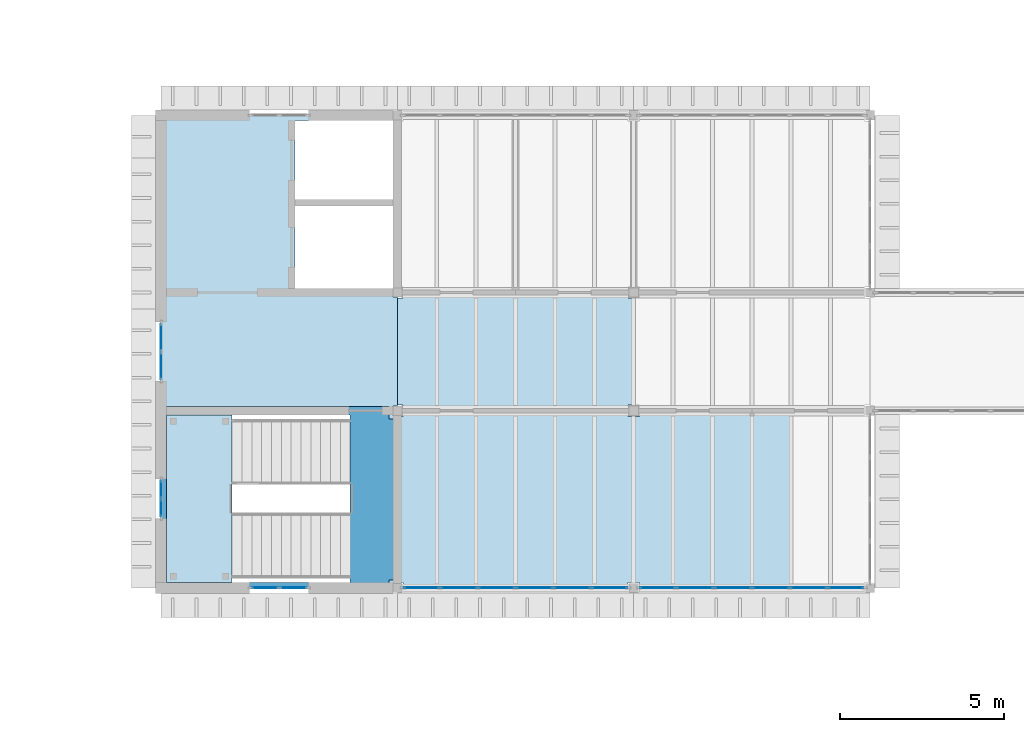
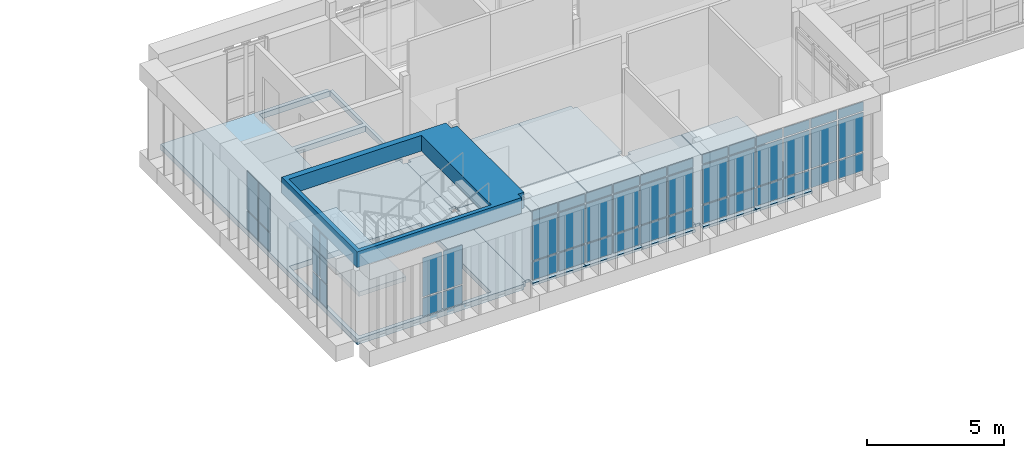
# One storey, part 23 of 51: 50 plates, 11 slabs, 6 elements without a shape of their own.
"""IFC4 building model written with IfcOpenShell, lengths in metres."""

from ifc_helpers import new_model, si_unit, direction, frame, origin, origin_2d, place, context, subcontext, project, spatial, polyline, rectangle, outline, extrude, material, layer, layer_set, type_object, element, aggregate, save


model = new_model("IFC4")

# Units and contexts
model_context = context("Model", 3, precision=1e-05, world=origin(), true_north=direction((0.0, 1.0)))
body_context = subcontext(model_context, "Body", "Model", "MODEL_VIEW")
ifc_project = project(units=[si_unit("LENGTHUNIT", "METRE"), si_unit("AREAUNIT", "SQUARE_METRE"), si_unit("VOLUMEUNIT", "CUBIC_METRE"), si_unit("PLANEANGLEUNIT", "RADIAN"), si_unit("MASSUNIT", "GRAM", prefix="KILO")], contexts=[model_context])

# Site, building, storey
site_placement = place(None, origin())
site = spatial("IfcSite", under=ifc_project, at=site_placement, CompositionType="ELEMENT")
building_placement = place(site_placement, origin())
building = spatial("IfcBuilding", under=site, at=building_placement, Name="Mazhai Court Health Centre", CompositionType="ELEMENT")
storey_placement = place(building_placement, frame((0.0, 0.0, 14.10009765625)))
storey = spatial("IfcBuildingStorey", under=building, at=storey_placement, Name="L03", CompositionType="ELEMENT", Elevation=14.10009765625)

# Slabs
ifc_material_1 = material(Name="CLT C24 5-ply", Category="wood")
ifc_layer_1 = layer(ifc_material_1, 0.1201171875)
ifc_layer_set_1 = layer_set([ifc_layer_1], Name="CLT C24 5-ply 120 floor panel")
slab_type_1 = type_object("IfcSlabType", Name="CLT C24 5-ply 120 floor panel", PredefinedType="FLOOR", material=ifc_layer_set_1)
slab_1_placement = place(storey_placement, frame((0.0, 0.0, -0.1201171875)))
element("IfcSlab", 1, at=slab_1_placement, inside=storey, type_object=slab_type_1, Name="slab-V4-L03-b1-A0", PredefinedType="FLOOR", context=body_context, shape_type="SweptSolid", body=[
    extrude(outline(polyline([(80.590087890625, 18.7900390625), (78.3701171875, 18.7900390625), (78.3701171875, 18.6298828125), (78.199951171875, 18.6298828125), (78.199951171875, 13.570068359375), (78.3701171875, 13.570068359375), (78.3701171875, 13.280029296875), (80.590087890625, 13.280029296875), (80.590087890625, 18.7900390625)])), origin(), (0.0, 0.0, 1.0), 0.1201171875),
])
slab_2_placement = place(storey_placement, frame((0.0, 0.0, -0.1201171875)))
element("IfcSlab", 2, at=slab_2_placement, inside=storey, type_object=slab_type_1, Name="slab-V4-L03-b1-A1", PredefinedType="FLOOR", context=body_context, shape_type="SweptSolid", body=[
    extrude(outline(polyline([(80.610107421875, 13.280029296875), (82.989990234375, 13.280029296875), (82.989990234375, 18.7900390625), (80.610107421875, 18.7900390625), (80.610107421875, 13.280029296875)])), origin(), (0.0, 0.0, 1.0), 0.1201171875),
])
slab_3_placement = place(storey_placement, frame((0.0, 0.0, -0.1201171875)))
element("IfcSlab", 3, at=slab_3_placement, inside=storey, type_object=slab_type_1, Name="slab-V4-L03-b1-A2", PredefinedType="FLOOR", context=body_context, shape_type="SweptSolid", body=[
    extrude(outline(polyline([(85.39990234375, 13.570068359375), (85.39990234375, 18.6298828125), (85.22998046875, 18.6298828125), (85.22998046875, 18.7900390625), (83.010009765625, 18.7900390625), (83.010009765625, 13.280029296875), (85.22998046875, 13.280029296875), (85.22998046875, 13.570068359375), (85.39990234375, 13.570068359375)])), origin(), (0.0, 0.0, 1.0), 0.1201171875),
])
slab_4_placement = place(storey_placement, frame((0.0, 0.0, -0.1201171875)))
element("IfcSlab", 4, at=slab_4_placement, inside=storey, type_object=slab_type_1, Name="slab-V4-L03-b1-C0", PredefinedType="FLOOR", context=body_context, shape_type="SweptSolid", body=[
    extrude(outline(polyline([(80.590087890625, 22.389892578125), (78.3701171875, 22.389892578125), (78.3701171875, 22.22998046875), (78.199951171875, 22.22998046875), (78.199951171875, 18.969970703125), (78.3701171875, 18.969970703125), (78.3701171875, 18.81005859375), (80.590087890625, 18.81005859375), (80.590087890625, 22.389892578125)])), origin(), (0.0, 0.0, 1.0), 0.1201171875),
])
slab_5_placement = place(storey_placement, frame((0.0, 0.0, -0.1201171875)))
element("IfcSlab", 5, at=slab_5_placement, inside=storey, type_object=slab_type_1, Name="slab-V4-L03-b1-C1", PredefinedType="FLOOR", context=body_context, shape_type="SweptSolid", body=[
    extrude(outline(polyline([(80.610107421875, 18.81005859375), (82.989990234375, 18.81005859375), (82.989990234375, 22.389892578125), (80.610107421875, 22.389892578125), (80.610107421875, 18.81005859375)])), origin(), (0.0, 0.0, 1.0), 0.1201171875),
])
slab_6_placement = place(storey_placement, frame((0.0, 0.0, -0.1201171875)))
element("IfcSlab", 6, at=slab_6_placement, inside=storey, type_object=slab_type_1, Name="slab-V4-L03-b1-C2", PredefinedType="FLOOR", context=body_context, shape_type="SweptSolid", body=[
    extrude(outline(polyline([(85.39990234375, 18.969970703125), (85.39990234375, 22.22998046875), (85.22998046875, 22.22998046875), (85.22998046875, 22.389892578125), (83.010009765625, 22.389892578125), (83.010009765625, 18.81005859375), (85.22998046875, 18.81005859375), (85.22998046875, 18.969970703125), (85.39990234375, 18.969970703125)])), origin(), (0.0, 0.0, 1.0), 0.1201171875),
])
slab_7_placement = place(storey_placement, frame((0.0, 0.0, -0.1201171875)))
element("IfcSlab", 7, at=slab_7_placement, inside=storey, type_object=slab_type_1, Name="slab-V4-L03-b2-A0", PredefinedType="FLOOR", context=body_context, shape_type="SweptSolid", body=[
    extrude(outline(polyline([(87.7900390625, 18.7900390625), (85.570068359375, 18.7900390625), (85.570068359375, 18.6298828125), (85.39990234375, 18.6298828125), (85.39990234375, 13.570068359375), (85.570068359375, 13.570068359375), (85.570068359375, 13.280029296875), (87.7900390625, 13.280029296875), (87.7900390625, 18.7900390625)])), origin(), (0.0, 0.0, 1.0), 0.1201171875),
])
slab_8_placement = place(storey_placement, frame((0.0, 0.0, -0.1201171875)))
element("IfcSlab", 8, at=slab_8_placement, inside=storey, type_object=slab_type_1, Name="slab-V4-L03-b2-A1", PredefinedType="FLOOR", context=body_context, shape_type="SweptSolid", body=[
    extrude(outline(polyline([(87.81005859375, 13.280029296875), (90.18994140625, 13.280029296875), (90.18994140625, 18.7900390625), (87.81005859375, 18.7900390625), (87.81005859375, 13.280029296875)])), origin(), (0.0, 0.0, 1.0), 0.1201171875),
])

# Curtain wall, plates
ifc_material_2 = material(Name="Teak timber frame, glazed", Category="wood")
ifc_layer_2 = layer(ifc_material_2, 0.10009765625)
ifc_layer_set_2 = layer_set([ifc_layer_2], Name="CURTAIN WALL TIMBER 900")
curtain_wall_type_1 = type_object("IfcCurtainWallType", Name="CURTAIN WALL TIMBER 900", PredefinedType="NOTDEFINED", material=ifc_layer_set_2)
curtain_wall_1_placement = place(storey_placement, origin())
curtain_wall_1 = element("IfcCurtainWall", 9, at=curtain_wall_1_placement, inside=storey, type_object=curtain_wall_type_1, Name="CW-V4-L03-A0", PredefinedType="NOTDEFINED")
ifc_material_3 = material(Name="Glass IGU 28 mm", Category="glass")
ifc_layer_3 = layer(ifc_material_3, 0.028076171875)
ifc_layer_set_3 = layer_set([ifc_layer_3], Name="CW PANEL IGU 28")
plate_type = type_object("IfcPlateType", Name="CW PANEL IGU 28", PredefinedType="CURTAIN_PANEL", material=ifc_layer_set_3)
plate_1_placement = place(storey_placement, frame((75.034912109375, 13.39990234375, 0.059814453125), z_axis=(0.0, 0.0, 1.0), x_axis=(-1.0, 0.0, 0.0)))
plate_1 = element("IfcPlate", 10, at=plate_1_placement, type_object=plate_type, Name="CW panel 1.1", PredefinedType="CURTAIN_PANEL", context=body_context, shape_type="SweptSolid", body=[
    extrude(rectangle(XDim=0.81005859375, YDim=0.028076171875, at=origin_2d()), origin(), (0.0, 0.0, 1.0), 0.81005859375),
])
plate_2_placement = place(storey_placement, frame((75.034912109375, 13.39990234375, 0.9296875), z_axis=(0.0, 0.0, 1.0), x_axis=(-1.0, 0.0, 0.0)))
plate_2 = element("IfcPlate", 11, at=plate_2_placement, type_object=plate_type, Name="CW panel 1.2", PredefinedType="CURTAIN_PANEL", context=body_context, shape_type="SweptSolid", body=[
    extrude(rectangle(XDim=0.81005859375, YDim=0.028076171875, at=origin_2d()), origin(), (0.0, 0.0, 1.0), 1.739990234375),
])
plate_3_placement = place(storey_placement, frame((74.1650390625, 13.39990234375, 0.059814453125), z_axis=(0.0, 0.0, 1.0), x_axis=(-1.0, 0.0, 0.0)))
plate_3 = element("IfcPlate", 12, at=plate_3_placement, type_object=plate_type, Name="CW panel 2.1", PredefinedType="CURTAIN_PANEL", context=body_context, shape_type="SweptSolid", body=[
    extrude(rectangle(XDim=0.81005859375, YDim=0.028076171875, at=origin_2d()), origin(), (0.0, 0.0, 1.0), 0.81005859375),
])
plate_4_placement = place(storey_placement, frame((74.1650390625, 13.39990234375, 0.9296875), z_axis=(0.0, 0.0, 1.0), x_axis=(-1.0, 0.0, 0.0)))
plate_4 = element("IfcPlate", 13, at=plate_4_placement, type_object=plate_type, Name="CW panel 2.2", PredefinedType="CURTAIN_PANEL", context=body_context, shape_type="SweptSolid", body=[
    extrude(rectangle(XDim=0.81005859375, YDim=0.028076171875, at=origin_2d()), origin(), (0.0, 0.0, 1.0), 1.739990234375),
])
aggregate(curtain_wall_1, [plate_1, plate_2, plate_3, plate_4])

ifc_material_4 = material(Name="Teak timber frame, glazed", Category="wood")
ifc_layer_4 = layer(ifc_material_4, 0.10009765625)
ifc_layer_set_4 = layer_set([ifc_layer_4], Name="CURTAIN WALL TIMBER 600")
curtain_wall_type_2 = type_object("IfcCurtainWallType", Name="CURTAIN WALL TIMBER 600", PredefinedType="NOTDEFINED", material=ifc_layer_set_4)
curtain_wall_2_placement = place(storey_placement, origin())
curtain_wall_2 = element("IfcCurtainWall", 14, at=curtain_wall_2_placement, inside=storey, type_object=curtain_wall_type_2, Name="CW-V4-L03-SSTAIR0", PredefinedType="NOTDEFINED")
plate_5_placement = place(storey_placement, frame((71.0, 15.8349609375, 0.06005859375), z_axis=(0.0, 0.0, 1.0), x_axis=(0.0, 1.0, 0.0)))
plate_5 = element("IfcPlate", 15, at=plate_5_placement, type_object=plate_type, Name="CW panel 1.1", PredefinedType="CURTAIN_PANEL", context=body_context, shape_type="SweptSolid", body=[
    extrude(rectangle(XDim=0.510009765625, YDim=0.028076171875, at=origin_2d()), origin(), (0.0, 0.0, 1.0), 1.010009765625),
])
plate_6_placement = place(storey_placement, frame((71.0, 15.8349609375, 1.1298828125), z_axis=(0.0, 0.0, 1.0), x_axis=(0.0, 1.0, 0.0)))
plate_6 = element("IfcPlate", 16, at=plate_6_placement, type_object=plate_type, Name="CW panel 1.2", PredefinedType="CURTAIN_PANEL", context=body_context, shape_type="SweptSolid", body=[
    extrude(rectangle(XDim=0.510009765625, YDim=0.028076171875, at=origin_2d()), origin(), (0.0, 0.0, 1.0), 1.0400390625),
])
plate_7_placement = place(storey_placement, frame((71.0, 15.8349609375, 2.22998046875), z_axis=(0.0, 0.0, 1.0), x_axis=(0.0, 1.0, 0.0)))
plate_7 = element("IfcPlate", 17, at=plate_7_placement, type_object=plate_type, Name="CW panel 1.3", PredefinedType="CURTAIN_PANEL", context=body_context, shape_type="SweptSolid", body=[
    extrude(rectangle(XDim=0.510009765625, YDim=0.028076171875, at=origin_2d()), origin(), (0.0, 0.0, 1.0), 0.909912109375),
])
plate_8_placement = place(storey_placement, frame((71.0, 16.405029296875, 0.06005859375), z_axis=(0.0, 0.0, 1.0), x_axis=(0.0, 1.0, 0.0)))
plate_8 = element("IfcPlate", 18, at=plate_8_placement, type_object=plate_type, Name="CW panel 2.1", PredefinedType="CURTAIN_PANEL", context=body_context, shape_type="SweptSolid", body=[
    extrude(rectangle(XDim=0.510009765625, YDim=0.028076171875, at=origin_2d()), origin(), (0.0, 0.0, 1.0), 1.010009765625),
])
plate_9_placement = place(storey_placement, frame((71.0, 16.405029296875, 1.1298828125), z_axis=(0.0, 0.0, 1.0), x_axis=(0.0, 1.0, 0.0)))
plate_9 = element("IfcPlate", 19, at=plate_9_placement, type_object=plate_type, Name="CW panel 2.2", PredefinedType="CURTAIN_PANEL", context=body_context, shape_type="SweptSolid", body=[
    extrude(rectangle(XDim=0.510009765625, YDim=0.028076171875, at=origin_2d()), origin(), (0.0, 0.0, 1.0), 1.0400390625),
])
plate_10_placement = place(storey_placement, frame((71.0, 16.405029296875, 2.22998046875), z_axis=(0.0, 0.0, 1.0), x_axis=(0.0, 1.0, 0.0)))
plate_10 = element("IfcPlate", 20, at=plate_10_placement, type_object=plate_type, Name="CW panel 2.3", PredefinedType="CURTAIN_PANEL", context=body_context, shape_type="SweptSolid", body=[
    extrude(rectangle(XDim=0.510009765625, YDim=0.028076171875, at=origin_2d()), origin(), (0.0, 0.0, 1.0), 0.909912109375),
])
aggregate(curtain_wall_2, [plate_5, plate_6, plate_7, plate_8, plate_9, plate_10])

curtain_wall_3_placement = place(storey_placement, origin())
curtain_wall_3 = element("IfcCurtainWall", 21, at=curtain_wall_3_placement, inside=storey, type_object=curtain_wall_type_1, Name="CW-V4-L03-SLIFT1", PredefinedType="NOTDEFINED")
plate_11_placement = place(storey_placement, frame((71.0, 20.1650390625, 0.059814453125), z_axis=(0.0, 0.0, 1.0), x_axis=(0.0, 1.0, 0.0)))
plate_11 = element("IfcPlate", 22, at=plate_11_placement, type_object=plate_type, Name="CW panel 1.1", PredefinedType="CURTAIN_PANEL", context=body_context, shape_type="SweptSolid", body=[
    extrude(rectangle(XDim=0.81005859375, YDim=0.028076171875, at=origin_2d()), origin(), (0.0, 0.0, 1.0), 0.81005859375),
])
plate_12_placement = place(storey_placement, frame((71.0, 20.1650390625, 0.9296875), z_axis=(0.0, 0.0, 1.0), x_axis=(0.0, 1.0, 0.0)))
plate_12 = element("IfcPlate", 23, at=plate_12_placement, type_object=plate_type, Name="CW panel 1.2", PredefinedType="CURTAIN_PANEL", context=body_context, shape_type="SweptSolid", body=[
    extrude(rectangle(XDim=0.81005859375, YDim=0.028076171875, at=origin_2d()), origin(), (0.0, 0.0, 1.0), 1.739990234375),
])
plate_13_placement = place(storey_placement, frame((71.0, 21.034912109375, 0.059814453125), z_axis=(0.0, 0.0, 1.0), x_axis=(0.0, 1.0, 0.0)))
plate_13 = element("IfcPlate", 24, at=plate_13_placement, type_object=plate_type, Name="CW panel 2.1", PredefinedType="CURTAIN_PANEL", context=body_context, shape_type="SweptSolid", body=[
    extrude(rectangle(XDim=0.81005859375, YDim=0.028076171875, at=origin_2d()), origin(), (0.0, 0.0, 1.0), 0.81005859375),
])
plate_14_placement = place(storey_placement, frame((71.0, 21.034912109375, 0.9296875), z_axis=(0.0, 0.0, 1.0), x_axis=(0.0, 1.0, 0.0)))
plate_14 = element("IfcPlate", 25, at=plate_14_placement, type_object=plate_type, Name="CW panel 2.2", PredefinedType="CURTAIN_PANEL", context=body_context, shape_type="SweptSolid", body=[
    extrude(rectangle(XDim=0.81005859375, YDim=0.028076171875, at=origin_2d()), origin(), (0.0, 0.0, 1.0), 1.739990234375),
])
aggregate(curtain_wall_3, [plate_11, plate_12, plate_13, plate_14])

ifc_material_5 = material(Name="Teak timber frame, glazed", Category="wood")
ifc_layer_5 = layer(ifc_material_5, 0.10009765625)
ifc_layer_set_5 = layer_set([ifc_layer_5], Name="CURTAIN WALL TIMBER 1200")
curtain_wall_type_3 = type_object("IfcCurtainWallType", Name="CURTAIN WALL TIMBER 1200", PredefinedType="NOTDEFINED", material=ifc_layer_set_5)
curtain_wall_4_placement = place(storey_placement, origin())
curtain_wall_4 = element("IfcCurtainWall", 26, at=curtain_wall_4_placement, inside=storey, type_object=curtain_wall_type_3, Name="CW-V4-L03-A1", PredefinedType="NOTDEFINED")
plate_15_placement = place(storey_placement, frame((84.668212890625, 13.39990234375, 0.059814453125), z_axis=(0.0, 0.0, 1.0), x_axis=(-1.0, 0.0, 0.0)))
plate_15 = element("IfcPlate", 27, at=plate_15_placement, type_object=plate_type, Name="CW panel 1.1", PredefinedType="CURTAIN_PANEL", context=body_context, shape_type="SweptSolid", body=[
    extrude(rectangle(XDim=1.063232421875, YDim=0.028076171875, at=origin_2d()), origin(), (0.0, 0.0, 1.0), 0.81005859375),
])
plate_16_placement = place(storey_placement, frame((84.668212890625, 13.39990234375, 0.9296875), z_axis=(0.0, 0.0, 1.0), x_axis=(-1.0, 0.0, 0.0)))
plate_16 = element("IfcPlate", 28, at=plate_16_placement, type_object=plate_type, Name="CW panel 1.2", PredefinedType="CURTAIN_PANEL", context=body_context, shape_type="SweptSolid", body=[
    extrude(rectangle(XDim=1.063232421875, YDim=0.028076171875, at=origin_2d()), origin(), (0.0, 0.0, 1.0), 1.739990234375),
])
plate_17_placement = place(storey_placement, frame((84.668212890625, 13.39990234375, 2.72998046875), z_axis=(0.0, 0.0, 1.0), x_axis=(-1.0, 0.0, 0.0)))
plate_17 = element("IfcPlate", 29, at=plate_17_placement, type_object=plate_type, Name="CW panel 1.3", PredefinedType="CURTAIN_PANEL", context=body_context, shape_type="SweptSolid", body=[
    extrude(rectangle(XDim=1.063232421875, YDim=0.028076171875, at=origin_2d()), origin(), (0.0, 0.0, 1.0), 0.409912109375),
])
plate_18_placement = place(storey_placement, frame((83.530029296875, 13.39990234375, 0.059814453125), z_axis=(0.0, 0.0, 1.0), x_axis=(-1.0, 0.0, 0.0)))
plate_18 = element("IfcPlate", 30, at=plate_18_placement, type_object=plate_type, Name="CW panel 2.1", PredefinedType="CURTAIN_PANEL", context=body_context, shape_type="SweptSolid", body=[
    extrude(rectangle(XDim=1.09326171875, YDim=0.028076171875, at=origin_2d()), origin(), (0.0, 0.0, 1.0), 0.81005859375),
])
plate_19_placement = place(storey_placement, frame((83.530029296875, 13.39990234375, 0.9296875), z_axis=(0.0, 0.0, 1.0), x_axis=(-1.0, 0.0, 0.0)))
plate_19 = element("IfcPlate", 31, at=plate_19_placement, type_object=plate_type, Name="CW panel 2.2", PredefinedType="CURTAIN_PANEL", context=body_context, shape_type="SweptSolid", body=[
    extrude(rectangle(XDim=1.09326171875, YDim=0.028076171875, at=origin_2d()), origin(), (0.0, 0.0, 1.0), 1.739990234375),
])
plate_20_placement = place(storey_placement, frame((83.530029296875, 13.39990234375, 2.72998046875), z_axis=(0.0, 0.0, 1.0), x_axis=(-1.0, 0.0, 0.0)))
plate_20 = element("IfcPlate", 32, at=plate_20_placement, type_object=plate_type, Name="CW panel 2.3", PredefinedType="CURTAIN_PANEL", context=body_context, shape_type="SweptSolid", body=[
    extrude(rectangle(XDim=1.09326171875, YDim=0.028076171875, at=origin_2d()), origin(), (0.0, 0.0, 1.0), 0.409912109375),
])
plate_21_placement = place(storey_placement, frame((82.376708984375, 13.39990234375, 0.059814453125), z_axis=(0.0, 0.0, 1.0), x_axis=(-1.0, 0.0, 0.0)))
plate_21 = element("IfcPlate", 33, at=plate_21_placement, type_object=plate_type, Name="CW panel 3.1", PredefinedType="CURTAIN_PANEL", context=body_context, shape_type="SweptSolid", body=[
    extrude(rectangle(XDim=1.09326171875, YDim=0.028076171875, at=origin_2d()), origin(), (0.0, 0.0, 1.0), 0.81005859375),
])
plate_22_placement = place(storey_placement, frame((82.376708984375, 13.39990234375, 0.9296875), z_axis=(0.0, 0.0, 1.0), x_axis=(-1.0, 0.0, 0.0)))
plate_22 = element("IfcPlate", 34, at=plate_22_placement, type_object=plate_type, Name="CW panel 3.2", PredefinedType="CURTAIN_PANEL", context=body_context, shape_type="SweptSolid", body=[
    extrude(rectangle(XDim=1.09326171875, YDim=0.028076171875, at=origin_2d()), origin(), (0.0, 0.0, 1.0), 1.739990234375),
])
plate_23_placement = place(storey_placement, frame((82.376708984375, 13.39990234375, 2.72998046875), z_axis=(0.0, 0.0, 1.0), x_axis=(-1.0, 0.0, 0.0)))
plate_23 = element("IfcPlate", 35, at=plate_23_placement, type_object=plate_type, Name="CW panel 3.3", PredefinedType="CURTAIN_PANEL", context=body_context, shape_type="SweptSolid", body=[
    extrude(rectangle(XDim=1.09326171875, YDim=0.028076171875, at=origin_2d()), origin(), (0.0, 0.0, 1.0), 0.409912109375),
])
plate_24_placement = place(storey_placement, frame((81.223388671875, 13.39990234375, 0.059814453125), z_axis=(0.0, 0.0, 1.0), x_axis=(-1.0, 0.0, 0.0)))
plate_24 = element("IfcPlate", 36, at=plate_24_placement, type_object=plate_type, Name="CW panel 4.1", PredefinedType="CURTAIN_PANEL", context=body_context, shape_type="SweptSolid", body=[
    extrude(rectangle(XDim=1.09326171875, YDim=0.028076171875, at=origin_2d()), origin(), (0.0, 0.0, 1.0), 0.81005859375),
])
plate_25_placement = place(storey_placement, frame((81.223388671875, 13.39990234375, 0.9296875), z_axis=(0.0, 0.0, 1.0), x_axis=(-1.0, 0.0, 0.0)))
plate_25 = element("IfcPlate", 37, at=plate_25_placement, type_object=plate_type, Name="CW panel 4.2", PredefinedType="CURTAIN_PANEL", context=body_context, shape_type="SweptSolid", body=[
    extrude(rectangle(XDim=1.09326171875, YDim=0.028076171875, at=origin_2d()), origin(), (0.0, 0.0, 1.0), 1.739990234375),
])
plate_26_placement = place(storey_placement, frame((81.223388671875, 13.39990234375, 2.72998046875), z_axis=(0.0, 0.0, 1.0), x_axis=(-1.0, 0.0, 0.0)))
plate_26 = element("IfcPlate", 38, at=plate_26_placement, type_object=plate_type, Name="CW panel 4.3", PredefinedType="CURTAIN_PANEL", context=body_context, shape_type="SweptSolid", body=[
    extrude(rectangle(XDim=1.09326171875, YDim=0.028076171875, at=origin_2d()), origin(), (0.0, 0.0, 1.0), 0.409912109375),
])
plate_27_placement = place(storey_placement, frame((80.070068359375, 13.39990234375, 0.059814453125), z_axis=(0.0, 0.0, 1.0), x_axis=(-1.0, 0.0, 0.0)))
plate_27 = element("IfcPlate", 39, at=plate_27_placement, type_object=plate_type, Name="CW panel 5.1", PredefinedType="CURTAIN_PANEL", context=body_context, shape_type="SweptSolid", body=[
    extrude(rectangle(XDim=1.09326171875, YDim=0.028076171875, at=origin_2d()), origin(), (0.0, 0.0, 1.0), 0.81005859375),
])
plate_28_placement = place(storey_placement, frame((80.070068359375, 13.39990234375, 0.9296875), z_axis=(0.0, 0.0, 1.0), x_axis=(-1.0, 0.0, 0.0)))
plate_28 = element("IfcPlate", 40, at=plate_28_placement, type_object=plate_type, Name="CW panel 5.2", PredefinedType="CURTAIN_PANEL", context=body_context, shape_type="SweptSolid", body=[
    extrude(rectangle(XDim=1.09326171875, YDim=0.028076171875, at=origin_2d()), origin(), (0.0, 0.0, 1.0), 1.739990234375),
])
plate_29_placement = place(storey_placement, frame((80.070068359375, 13.39990234375, 2.72998046875), z_axis=(0.0, 0.0, 1.0), x_axis=(-1.0, 0.0, 0.0)))
plate_29 = element("IfcPlate", 41, at=plate_29_placement, type_object=plate_type, Name="CW panel 5.3", PredefinedType="CURTAIN_PANEL", context=body_context, shape_type="SweptSolid", body=[
    extrude(rectangle(XDim=1.09326171875, YDim=0.028076171875, at=origin_2d()), origin(), (0.0, 0.0, 1.0), 0.409912109375),
])
plate_30_placement = place(storey_placement, frame((78.931640625, 13.39990234375, 0.059814453125), z_axis=(0.0, 0.0, 1.0), x_axis=(-1.0, 0.0, 0.0)))
plate_30 = element("IfcPlate", 42, at=plate_30_placement, type_object=plate_type, Name="CW panel 6.1", PredefinedType="CURTAIN_PANEL", context=body_context, shape_type="SweptSolid", body=[
    extrude(rectangle(XDim=1.063232421875, YDim=0.028076171875, at=origin_2d()), origin(), (0.0, 0.0, 1.0), 0.81005859375),
])
plate_31_placement = place(storey_placement, frame((78.931640625, 13.39990234375, 0.9296875), z_axis=(0.0, 0.0, 1.0), x_axis=(-1.0, 0.0, 0.0)))
plate_31 = element("IfcPlate", 43, at=plate_31_placement, type_object=plate_type, Name="CW panel 6.2", PredefinedType="CURTAIN_PANEL", context=body_context, shape_type="SweptSolid", body=[
    extrude(rectangle(XDim=1.063232421875, YDim=0.028076171875, at=origin_2d()), origin(), (0.0, 0.0, 1.0), 1.739990234375),
])
plate_32_placement = place(storey_placement, frame((78.931640625, 13.39990234375, 2.72998046875), z_axis=(0.0, 0.0, 1.0), x_axis=(-1.0, 0.0, 0.0)))
plate_32 = element("IfcPlate", 44, at=plate_32_placement, type_object=plate_type, Name="CW panel 6.3", PredefinedType="CURTAIN_PANEL", context=body_context, shape_type="SweptSolid", body=[
    extrude(rectangle(XDim=1.063232421875, YDim=0.028076171875, at=origin_2d()), origin(), (0.0, 0.0, 1.0), 0.409912109375),
])
aggregate(curtain_wall_4, [plate_15, plate_16, plate_17, plate_18, plate_19, plate_20, plate_21, plate_22, plate_23, plate_24, plate_25, plate_26, plate_27, plate_28, plate_29, plate_30, plate_31, plate_32])

curtain_wall_5_placement = place(storey_placement, origin())
curtain_wall_5 = element("IfcCurtainWall", 45, at=curtain_wall_5_placement, inside=storey, type_object=curtain_wall_type_3, Name="CW-V4-L03-A2", PredefinedType="NOTDEFINED")
plate_33_placement = place(storey_placement, frame((91.868408203125, 13.39990234375, 0.059814453125), z_axis=(0.0, 0.0, 1.0), x_axis=(-1.0, 0.0, 0.0)))
plate_33 = element("IfcPlate", 46, at=plate_33_placement, type_object=plate_type, Name="CW panel 1.1", PredefinedType="CURTAIN_PANEL", context=body_context, shape_type="SweptSolid", body=[
    extrude(rectangle(XDim=1.063232421875, YDim=0.028076171875, at=origin_2d()), origin(), (0.0, 0.0, 1.0), 0.81005859375),
])
plate_34_placement = place(storey_placement, frame((91.868408203125, 13.39990234375, 0.9296875), z_axis=(0.0, 0.0, 1.0), x_axis=(-1.0, 0.0, 0.0)))
plate_34 = element("IfcPlate", 47, at=plate_34_placement, type_object=plate_type, Name="CW panel 1.2", PredefinedType="CURTAIN_PANEL", context=body_context, shape_type="SweptSolid", body=[
    extrude(rectangle(XDim=1.063232421875, YDim=0.028076171875, at=origin_2d()), origin(), (0.0, 0.0, 1.0), 1.739990234375),
])
plate_35_placement = place(storey_placement, frame((91.868408203125, 13.39990234375, 2.72998046875), z_axis=(0.0, 0.0, 1.0), x_axis=(-1.0, 0.0, 0.0)))
plate_35 = element("IfcPlate", 48, at=plate_35_placement, type_object=plate_type, Name="CW panel 1.3", PredefinedType="CURTAIN_PANEL", context=body_context, shape_type="SweptSolid", body=[
    extrude(rectangle(XDim=1.063232421875, YDim=0.028076171875, at=origin_2d()), origin(), (0.0, 0.0, 1.0), 0.409912109375),
])
plate_36_placement = place(storey_placement, frame((90.72998046875, 13.39990234375, 0.059814453125), z_axis=(0.0, 0.0, 1.0), x_axis=(-1.0, 0.0, 0.0)))
plate_36 = element("IfcPlate", 49, at=plate_36_placement, type_object=plate_type, Name="CW panel 2.1", PredefinedType="CURTAIN_PANEL", context=body_context, shape_type="SweptSolid", body=[
    extrude(rectangle(XDim=1.09326171875, YDim=0.028076171875, at=origin_2d()), origin(), (0.0, 0.0, 1.0), 0.81005859375),
])
plate_37_placement = place(storey_placement, frame((90.72998046875, 13.39990234375, 0.9296875), z_axis=(0.0, 0.0, 1.0), x_axis=(-1.0, 0.0, 0.0)))
plate_37 = element("IfcPlate", 50, at=plate_37_placement, type_object=plate_type, Name="CW panel 2.2", PredefinedType="CURTAIN_PANEL", context=body_context, shape_type="SweptSolid", body=[
    extrude(rectangle(XDim=1.09326171875, YDim=0.028076171875, at=origin_2d()), origin(), (0.0, 0.0, 1.0), 1.739990234375),
])
plate_38_placement = place(storey_placement, frame((90.72998046875, 13.39990234375, 2.72998046875), z_axis=(0.0, 0.0, 1.0), x_axis=(-1.0, 0.0, 0.0)))
plate_38 = element("IfcPlate", 51, at=plate_38_placement, type_object=plate_type, Name="CW panel 2.3", PredefinedType="CURTAIN_PANEL", context=body_context, shape_type="SweptSolid", body=[
    extrude(rectangle(XDim=1.09326171875, YDim=0.028076171875, at=origin_2d()), origin(), (0.0, 0.0, 1.0), 0.409912109375),
])
plate_39_placement = place(storey_placement, frame((89.57666015625, 13.39990234375, 0.059814453125), z_axis=(0.0, 0.0, 1.0), x_axis=(-1.0, 0.0, 0.0)))
plate_39 = element("IfcPlate", 52, at=plate_39_placement, type_object=plate_type, Name="CW panel 3.1", PredefinedType="CURTAIN_PANEL", context=body_context, shape_type="SweptSolid", body=[
    extrude(rectangle(XDim=1.09326171875, YDim=0.028076171875, at=origin_2d()), origin(), (0.0, 0.0, 1.0), 0.81005859375),
])
plate_40_placement = place(storey_placement, frame((89.57666015625, 13.39990234375, 0.9296875), z_axis=(0.0, 0.0, 1.0), x_axis=(-1.0, 0.0, 0.0)))
plate_40 = element("IfcPlate", 53, at=plate_40_placement, type_object=plate_type, Name="CW panel 3.2", PredefinedType="CURTAIN_PANEL", context=body_context, shape_type="SweptSolid", body=[
    extrude(rectangle(XDim=1.09326171875, YDim=0.028076171875, at=origin_2d()), origin(), (0.0, 0.0, 1.0), 1.739990234375),
])
plate_41_placement = place(storey_placement, frame((89.57666015625, 13.39990234375, 2.72998046875), z_axis=(0.0, 0.0, 1.0), x_axis=(-1.0, 0.0, 0.0)))
plate_41 = element("IfcPlate", 54, at=plate_41_placement, type_object=plate_type, Name="CW panel 3.3", PredefinedType="CURTAIN_PANEL", context=body_context, shape_type="SweptSolid", body=[
    extrude(rectangle(XDim=1.09326171875, YDim=0.028076171875, at=origin_2d()), origin(), (0.0, 0.0, 1.0), 0.409912109375),
])
plate_42_placement = place(storey_placement, frame((88.42333984375, 13.39990234375, 0.059814453125), z_axis=(0.0, 0.0, 1.0), x_axis=(-1.0, 0.0, 0.0)))
plate_42 = element("IfcPlate", 55, at=plate_42_placement, type_object=plate_type, Name="CW panel 4.1", PredefinedType="CURTAIN_PANEL", context=body_context, shape_type="SweptSolid", body=[
    extrude(rectangle(XDim=1.09326171875, YDim=0.028076171875, at=origin_2d()), origin(), (0.0, 0.0, 1.0), 0.81005859375),
])
plate_43_placement = place(storey_placement, frame((88.42333984375, 13.39990234375, 0.9296875), z_axis=(0.0, 0.0, 1.0), x_axis=(-1.0, 0.0, 0.0)))
plate_43 = element("IfcPlate", 56, at=plate_43_placement, type_object=plate_type, Name="CW panel 4.2", PredefinedType="CURTAIN_PANEL", context=body_context, shape_type="SweptSolid", body=[
    extrude(rectangle(XDim=1.09326171875, YDim=0.028076171875, at=origin_2d()), origin(), (0.0, 0.0, 1.0), 1.739990234375),
])
plate_44_placement = place(storey_placement, frame((88.42333984375, 13.39990234375, 2.72998046875), z_axis=(0.0, 0.0, 1.0), x_axis=(-1.0, 0.0, 0.0)))
plate_44 = element("IfcPlate", 57, at=plate_44_placement, type_object=plate_type, Name="CW panel 4.3", PredefinedType="CURTAIN_PANEL", context=body_context, shape_type="SweptSolid", body=[
    extrude(rectangle(XDim=1.09326171875, YDim=0.028076171875, at=origin_2d()), origin(), (0.0, 0.0, 1.0), 0.409912109375),
])
plate_45_placement = place(storey_placement, frame((87.27001953125, 13.39990234375, 0.059814453125), z_axis=(0.0, 0.0, 1.0), x_axis=(-1.0, 0.0, 0.0)))
plate_45 = element("IfcPlate", 58, at=plate_45_placement, type_object=plate_type, Name="CW panel 5.1", PredefinedType="CURTAIN_PANEL", context=body_context, shape_type="SweptSolid", body=[
    extrude(rectangle(XDim=1.09326171875, YDim=0.028076171875, at=origin_2d()), origin(), (0.0, 0.0, 1.0), 0.81005859375),
])
plate_46_placement = place(storey_placement, frame((87.27001953125, 13.39990234375, 0.9296875), z_axis=(0.0, 0.0, 1.0), x_axis=(-1.0, 0.0, 0.0)))
plate_46 = element("IfcPlate", 59, at=plate_46_placement, type_object=plate_type, Name="CW panel 5.2", PredefinedType="CURTAIN_PANEL", context=body_context, shape_type="SweptSolid", body=[
    extrude(rectangle(XDim=1.09326171875, YDim=0.028076171875, at=origin_2d()), origin(), (0.0, 0.0, 1.0), 1.739990234375),
])
plate_47_placement = place(storey_placement, frame((87.27001953125, 13.39990234375, 2.72998046875), z_axis=(0.0, 0.0, 1.0), x_axis=(-1.0, 0.0, 0.0)))
plate_47 = element("IfcPlate", 60, at=plate_47_placement, type_object=plate_type, Name="CW panel 5.3", PredefinedType="CURTAIN_PANEL", context=body_context, shape_type="SweptSolid", body=[
    extrude(rectangle(XDim=1.09326171875, YDim=0.028076171875, at=origin_2d()), origin(), (0.0, 0.0, 1.0), 0.409912109375),
])
plate_48_placement = place(storey_placement, frame((86.131591796875, 13.39990234375, 0.059814453125), z_axis=(0.0, 0.0, 1.0), x_axis=(-1.0, 0.0, 0.0)))
plate_48 = element("IfcPlate", 61, at=plate_48_placement, type_object=plate_type, Name="CW panel 6.1", PredefinedType="CURTAIN_PANEL", context=body_context, shape_type="SweptSolid", body=[
    extrude(rectangle(XDim=1.063232421875, YDim=0.028076171875, at=origin_2d()), origin(), (0.0, 0.0, 1.0), 0.81005859375),
])
plate_49_placement = place(storey_placement, frame((86.131591796875, 13.39990234375, 0.9296875), z_axis=(0.0, 0.0, 1.0), x_axis=(-1.0, 0.0, 0.0)))
plate_49 = element("IfcPlate", 62, at=plate_49_placement, type_object=plate_type, Name="CW panel 6.2", PredefinedType="CURTAIN_PANEL", context=body_context, shape_type="SweptSolid", body=[
    extrude(rectangle(XDim=1.063232421875, YDim=0.028076171875, at=origin_2d()), origin(), (0.0, 0.0, 1.0), 1.739990234375),
])
plate_50_placement = place(storey_placement, frame((86.131591796875, 13.39990234375, 2.72998046875), z_axis=(0.0, 0.0, 1.0), x_axis=(-1.0, 0.0, 0.0)))
plate_50 = element("IfcPlate", 63, at=plate_50_placement, type_object=plate_type, Name="CW panel 6.3", PredefinedType="CURTAIN_PANEL", context=body_context, shape_type="SweptSolid", body=[
    extrude(rectangle(XDim=1.063232421875, YDim=0.028076171875, at=origin_2d()), origin(), (0.0, 0.0, 1.0), 0.409912109375),
])
aggregate(curtain_wall_5, [plate_33, plate_34, plate_35, plate_36, plate_37, plate_38, plate_39, plate_40, plate_41, plate_42, plate_43, plate_44, plate_45, plate_46, plate_47, plate_48, plate_49, plate_50])

# Slabs
ifc_material_6 = material(Name="Concrete M40", Category="concrete")
ifc_layer_6 = layer(ifc_material_6, 0.25)
ifc_layer_set_6 = layer_set([ifc_layer_6], Name="RC CORE FLOOR 250 M40")
slab_type_2 = type_object("IfcSlabType", Name="RC CORE FLOOR 250 M40", PredefinedType="FLOOR", material=ifc_layer_set_6)
slab_9_placement = place(storey_placement, frame((0.0, 0.0, -0.25)))
element("IfcSlab", 64, at=slab_9_placement, inside=storey, type_object=slab_type_2, Name="core-C6-floor-L03", PredefinedType="FLOOR", context=body_context, shape_type="SweptSolid", body=[
    extrude(outline(polyline([(78.06005859375, 22.260009765625), (78.199951171875, 22.260009765625), (78.199951171875, 18.93994140625), (78.06005859375, 18.93994140625), (78.06005859375, 18.659912109375), (78.199951171875, 18.659912109375), (78.199951171875, 13.5400390625), (78.06005859375, 13.5400390625), (78.06005859375, 13.39990234375), (71.0, 13.39990234375), (71.0, 27.800048828125), (78.06005859375, 27.800048828125), (78.06005859375, 27.659912109375), (78.199951171875, 27.659912109375), (78.199951171875, 22.5400390625), (78.074951171875, 22.5400390625), (78.074951171875, 25.034912109375), (75.074951171875, 25.034912109375), (75.074951171875, 22.52490234375), (78.06005859375, 22.52490234375), (78.06005859375, 22.260009765625)]), holes=[polyline([(76.763427734375, 13.56494140625), (76.763427734375, 18.675048828125), (71.1650390625, 18.675048828125), (71.1650390625, 13.56494140625), (76.763427734375, 13.56494140625)]), polyline([(78.074951171875, 27.635009765625), (75.074951171875, 27.635009765625), (75.074951171875, 25.235107421875), (78.074951171875, 25.235107421875), (78.074951171875, 27.635009765625)])]), origin(), (0.0, 0.0, 1.0), 0.25),
])
ifc_material_7 = material(Name="Concrete M40", Category="concrete")
ifc_layer_7 = layer(ifc_material_7, 0.699951171875)
ifc_layer_set_7 = layer_set([ifc_layer_7], Name="RC HEAD-HOUSE FLOOR 700 M40")
slab_type_3 = type_object("IfcSlabType", Name="RC HEAD-HOUSE FLOOR 700 M40", PredefinedType="FLOOR", material=ifc_layer_set_7)
slab_10_placement = place(storey_placement, frame((0.0, 0.0, 3.19970703125)))
element("IfcSlab", 65, at=slab_10_placement, inside=storey, type_object=slab_type_3, Name="core-C6-head-house-floor", PredefinedType="FLOOR", context=body_context, shape_type="SweptSolid", body=[
    extrude(outline(polyline([(77.949951171875, 18.550048828125), (78.199951171875, 18.550048828125), (78.199951171875, 13.64990234375), (77.949951171875, 13.64990234375), (77.949951171875, 13.39990234375), (71.0, 13.39990234375), (71.0, 18.925048828125), (77.949951171875, 18.925048828125), (77.949951171875, 18.550048828125)]), holes=[polyline([(76.763427734375, 18.675048828125), (71.1650390625, 18.675048828125), (71.1650390625, 13.56494140625), (76.763427734375, 13.56494140625), (76.763427734375, 18.675048828125)])]), origin(), (0.0, 0.0, 1.0), 0.7001953125),
])

# Stair, slab
ifc_material_8 = material(Name="Concrete M40", Category="concrete")
stair_type = type_object("IfcStairType", Name="RC STAIR 2000 26R", PredefinedType="DOUBLE_RETURN_STAIR", material=ifc_material_8)
stair_placement = place(storey_placement, origin())
stair = element("IfcStair", 66, at=stair_placement, inside=storey, type_object=stair_type, Name="L03 Stair 6", PredefinedType="HALF_TURN_STAIR")
ifc_material_9 = material(Name="Concrete M40", Category="concrete")
ifc_layer_8 = layer(ifc_material_9, 0.199951171875)
ifc_layer_set_8 = layer_set([ifc_layer_8], Name="RC STAIR LANDING 200 M40")
slab_type_4 = type_object("IfcSlabType", Name="RC STAIR LANDING 200 M40", PredefinedType="LANDING", material=ifc_layer_set_8)
slab_11_placement = place(storey_placement, frame((0.0, 0.0, 1.75)))
slab_11 = element("IfcSlab", 67, at=slab_11_placement, type_object=slab_type_4, Name="ST6 landing 1", PredefinedType="LANDING", context=body_context, shape_type="SweptSolid", body=[
    extrude(outline(polyline([(73.1650390625, 18.675048828125), (71.1650390625, 18.675048828125), (71.1650390625, 13.56494140625), (73.1650390625, 13.56494140625), (73.1650390625, 18.675048828125)])), origin(), (0.0, 0.0, 1.0), 0.199951171875),
])
aggregate(stair, [slab_11])

save(model, "model.ifc")
